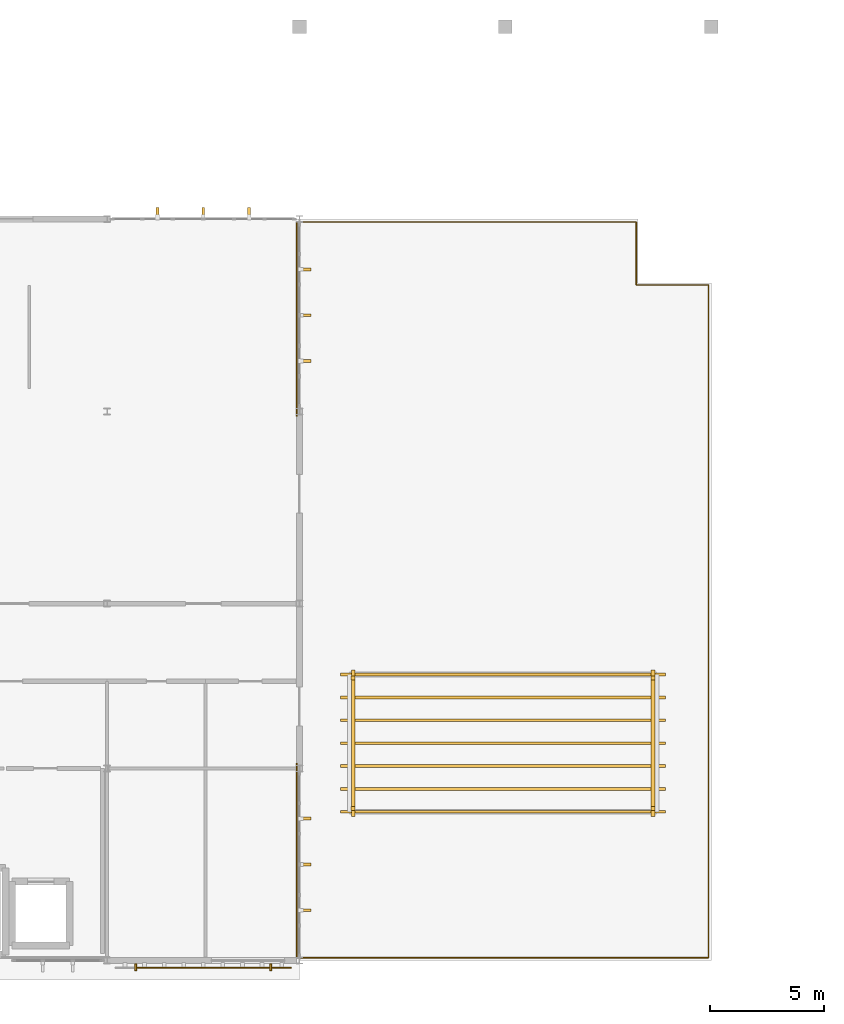
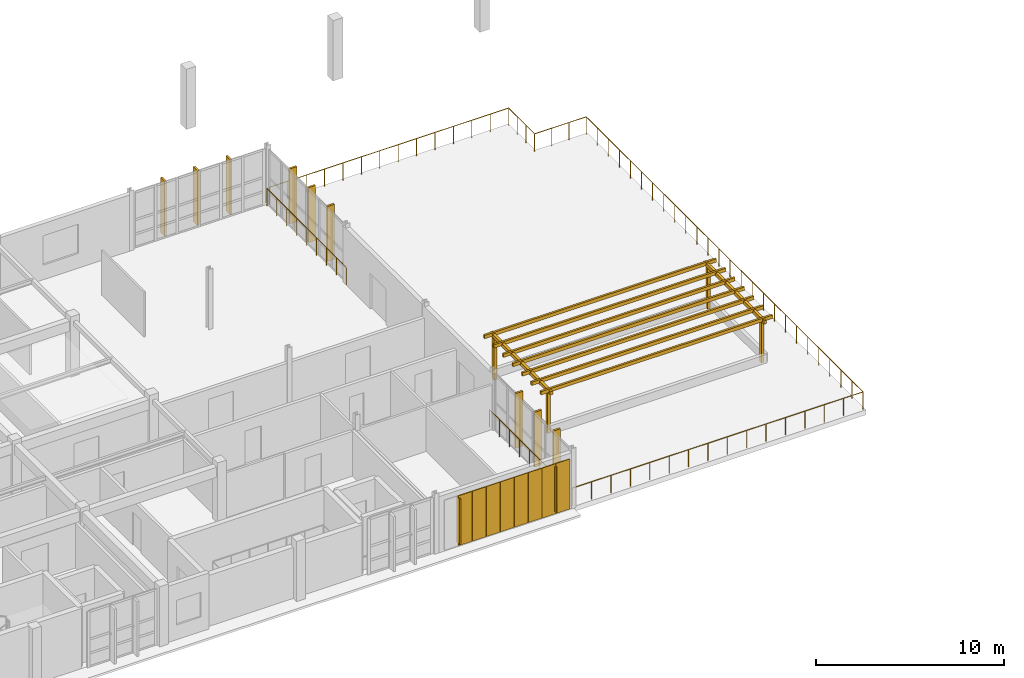
# One storey, part 35 of 35: 30 coverings, 3 railings, 2 shading devices.
"""IFC4 building model written with IfcOpenShell, lengths in metres."""

from ifc_helpers import new_model, si_unit, direction, frame, origin, origin_2d, place, context, subcontext, project, spatial, rectangle, circle, extrude, material, layer, layer_set, type_object, element, save


model = new_model("IFC4")

# Units and contexts
model_context = context("Model", 3, precision=1e-05, world=origin(), true_north=direction((0.0, 1.0)))
body_context = subcontext(model_context, "Body", "Model", "MODEL_VIEW")
ifc_project = project(units=[si_unit("LENGTHUNIT", "METRE"), si_unit("AREAUNIT", "SQUARE_METRE"), si_unit("VOLUMEUNIT", "CUBIC_METRE"), si_unit("PLANEANGLEUNIT", "RADIAN"), si_unit("MASSUNIT", "GRAM", prefix="KILO")], contexts=[model_context])

# Site, building, storey
site_placement = place(None, origin())
site = spatial("IfcSite", under=ifc_project, at=site_placement, CompositionType="ELEMENT")
building_placement = place(site_placement, origin())
building = spatial("IfcBuilding", under=site, at=building_placement, Name="Tizgana Railside Sports Hall", CompositionType="ELEMENT")
storey_placement = place(building_placement, frame((0.0, 0.0, 15.89990234375)))
storey = spatial("IfcBuildingStorey", under=building, at=storey_placement, Name="L03", CompositionType="ELEMENT", Elevation=15.89990234375)

# Shading devices
ifc_material_1 = material(Name="Glulam GL28h", Category="wood")
shading_device_type = type_object("IfcShadingDeviceType", Name="Glulam Vertical Brise-Soleil Fin 320", PredefinedType="JALOUSIE", material=ifc_material_1)
for number, where, z_axis, x_axis, name in (
    (1, (78.550048828125, -0.2939453125, 0.35009765625), (0.0, 0.0, 1.0), (-1.0, 0.0, 0.0), "L03 Glulam Fin FIN-0049"),
    (2, (72.64990234375, -0.2939453125, 0.35009765625), (0.0, 0.0, 1.0), (-1.0, 0.0, 0.0), "L03 Glulam Fin FIN-0050"),
):
    element("IfcShadingDevice", number, at=place(storey_placement, frame(where, z_axis=z_axis, x_axis=x_axis)), inside=storey, type_object=shading_device_type, Name=name, PredefinedType="JALOUSIE", context=body_context, shape_type="SweptSolid", body=[
        extrude(rectangle(XDim=0.080078125, YDim=0.320068359375, at=origin_2d()), origin(), (0.0, 0.0, 1.0), 2.93994140625),
    ])

# Coverings
ifc_layer_1 = layer(ifc_material_1, 0.139892578125, Name="Glulam GL28h")
ifc_layer_set_1 = layer_set([ifc_layer_1], Name="Glulam GL28h")
covering_type_1 = type_object("IfcCoveringType", Name="Mass-Timber Brise-Soleil & Pergola Fin", PredefinedType="CLADDING", material=ifc_layer_set_1)
for number, where, z_axis, x_axis, name in (
    (3, (82.14990234375, 6.64990234375, -0.019775390625), (0.0, 0.0, 1.0), (1.0, 0.0, 0.0), "L03 L03 Terrace Pergola Post"),
    (4, (82.14990234375, 12.35009765625, -0.019775390625), (0.0, 0.0, 1.0), (1.0, 0.0, 0.0), "L03 L03 Terrace Pergola Post"),
    (5, (95.25, 6.64990234375, -0.019775390625), (0.0, 0.0, 1.0), (1.0, 0.0, 0.0), "L03 L03 Terrace Pergola Post"),
    (6, (95.25, 12.35009765625, -0.019775390625), (0.0, 0.0, 1.0), (1.0, 0.0, 0.0), "L03 L03 Terrace Pergola Post"),
):
    element("IfcCovering", number, at=place(storey_placement, frame(where, z_axis=z_axis, x_axis=x_axis)), inside=storey, type_object=covering_type_1, Name=name, PredefinedType="CLADDING", context=body_context, shape_type="SweptSolid", body=[
        extrude(rectangle(XDim=0.179931640625, YDim=0.179931640625, at=origin_2d()), origin(), (0.0, 0.0, 1.0), 2.669921875),
    ])
for number, where, z_axis, x_axis, name in (
    (7, (82.14990234375, 9.5, 2.6298828125), (0.0, 0.0, 1.0), (1.0, 0.0, 0.0), "L03 L03 Terrace Pergola Beam"),
    (8, (95.25, 9.5, 2.6298828125), (0.0, 0.0, 1.0), (1.0, 0.0, 0.0), "L03 L03 Terrace Pergola Beam"),
):
    element("IfcCovering", number, at=place(storey_placement, frame(where, z_axis=z_axis, x_axis=x_axis)), inside=storey, type_object=covering_type_1, Name=name, PredefinedType="CLADDING", context=body_context, shape_type="SweptSolid", body=[
        extrude(rectangle(XDim=0.159912109375, YDim=6.39990234375, at=origin_2d()), origin(), (0.0, 0.0, 1.0), 0.219970703125),
    ])
for number, where, z_axis, x_axis, name in (
    (9, (88.699951171875, 6.5, 2.72021484375), (0.0, 0.0, 1.0), (1.0, 0.0, 0.0), "L03 L03 Terrace Pergola Rafter"),
    (10, (88.699951171875, 7.5, 2.72021484375), (0.0, 0.0, 1.0), (1.0, 0.0, 0.0), "L03 L03 Terrace Pergola Rafter"),
    (11, (88.699951171875, 8.5, 2.72021484375), (0.0, 0.0, 1.0), (1.0, 0.0, 0.0), "L03 L03 Terrace Pergola Rafter"),
    (12, (88.699951171875, 9.5, 2.72021484375), (0.0, 0.0, 1.0), (1.0, 0.0, 0.0), "L03 L03 Terrace Pergola Rafter"),
    (13, (88.699951171875, 10.5, 2.72021484375), (0.0, 0.0, 1.0), (1.0, 0.0, 0.0), "L03 L03 Terrace Pergola Rafter"),
    (14, (88.699951171875, 11.5, 2.72021484375), (0.0, 0.0, 1.0), (1.0, 0.0, 0.0), "L03 L03 Terrace Pergola Rafter"),
    (15, (88.699951171875, 12.5, 2.72021484375), (0.0, 0.0, 1.0), (1.0, 0.0, 0.0), "L03 L03 Terrace Pergola Rafter"),
):
    element("IfcCovering", number, at=place(storey_placement, frame(where, z_axis=z_axis, x_axis=x_axis)), inside=storey, type_object=covering_type_1, Name=name, PredefinedType="CLADDING", context=body_context, shape_type="SweptSolid", body=[
        extrude(rectangle(XDim=14.199951171875, YDim=0.1201171875, at=origin_2d()), origin(), (0.0, 0.0, 1.0), 0.219970703125),
    ])
for number, where, z_axis, x_axis, name in (
    (16, (73.597412109375, 32.679931640625, 0.0400390625), (0.0, 0.0, 1.0), (1.0, 0.0, 0.0), "L03 Timber Brise-Soleil Fin"),
    (17, (75.60009765625, 32.679931640625, 0.0400390625), (0.0, 0.0, 1.0), (1.0, 0.0, 0.0), "L03 Timber Brise-Soleil Fin"),
    (18, (77.6025390625, 32.679931640625, 0.0400390625), (0.0, 0.0, 1.0), (1.0, 0.0, 0.0), "L03 Timber Brise-Soleil Fin"),
    (19, (80.080078125, 6.202392578125, 0.0400390625), (0.0, 0.0, 1.0), (0.0, -1.0, 0.0), "L03 Timber Brise-Soleil Fin"),
    (20, (80.080078125, 4.199951171875, 0.0400390625), (0.0, 0.0, 1.0), (0.0, -1.0, 0.0), "L03 Timber Brise-Soleil Fin"),
    (21, (80.080078125, 2.197509765625, 0.0400390625), (0.0, 0.0, 1.0), (0.0, -1.0, 0.0), "L03 Timber Brise-Soleil Fin"),
    (22, (80.080078125, 30.202392578125, 0.0400390625), (0.0, 0.0, 1.0), (0.0, -1.0, 0.0), "L03 Timber Brise-Soleil Fin"),
    (23, (80.080078125, 28.199951171875, 0.0400390625), (0.0, 0.0, 1.0), (0.0, -1.0, 0.0), "L03 Timber Brise-Soleil Fin"),
    (24, (80.080078125, 26.197509765625, 0.0400390625), (0.0, 0.0, 1.0), (0.0, -1.0, 0.0), "L03 Timber Brise-Soleil Fin"),
):
    element("IfcCovering", number, at=place(storey_placement, frame(where, z_axis=z_axis, x_axis=x_axis)), inside=storey, type_object=covering_type_1, Name=name, PredefinedType="CLADDING", context=body_context, shape_type="SweptSolid", body=[
        extrude(rectangle(XDim=0.1201171875, YDim=0.43994140625, at=origin_2d()), origin(), (0.0, 0.0, 1.0), 3.56005859375),
    ])
ifc_material_2 = material(Name="Anodised perforated aluminium screen", Category="aluminium")
ifc_layer_2 = layer(ifc_material_2, 0.044921875, Name="Anodised perforated aluminium screen")
ifc_layer_set_2 = layer_set([ifc_layer_2], Name="Anodised perforated aluminium screen")
covering_type_2 = type_object("IfcCoveringType", Name="Perforated Aluminium Hall Screen 900", PredefinedType="CLADDING", material=ifc_layer_set_2)
for number, where, z_axis, x_axis, name in (
    (25, (79.022216796875, -0.31494140625, 0.2001953125), (0.0, 0.0, 1.0), (-1.0, 0.0, 0.0), "L03 Perforated Screen SCR-0597"),
    (26, (78.166748046875, -0.31494140625, 0.2001953125), (0.0, 0.0, 1.0), (-1.0, 0.0, 0.0), "L03 Perforated Screen SCR-0598"),
    (27, (77.31103515625, -0.31494140625, 0.2001953125), (0.0, 0.0, 1.0), (-1.0, 0.0, 0.0), "L03 Perforated Screen SCR-0599"),
    (28, (76.45556640625, -0.31494140625, 0.2001953125), (0.0, 0.0, 1.0), (-1.0, 0.0, 0.0), "L03 Perforated Screen SCR-0600"),
    (29, (75.60009765625, -0.31494140625, 0.2001953125), (0.0, 0.0, 1.0), (-1.0, 0.0, 0.0), "L03 Perforated Screen SCR-0601"),
    (30, (74.744384765625, -0.31494140625, 0.2001953125), (0.0, 0.0, 1.0), (-1.0, 0.0, 0.0), "L03 Perforated Screen SCR-0602"),
    (31, (73.888916015625, -0.31494140625, 0.2001953125), (0.0, 0.0, 1.0), (-1.0, 0.0, 0.0), "L03 Perforated Screen SCR-0603"),
    (32, (73.033203125, -0.31494140625, 0.2001953125), (0.0, 0.0, 1.0), (-1.0, 0.0, 0.0), "L03 Perforated Screen SCR-0604"),
):
    element("IfcCovering", number, at=place(storey_placement, frame(where, z_axis=z_axis, x_axis=x_axis)), inside=storey, type_object=covering_type_2, Name=name, PredefinedType="CLADDING", context=body_context, shape_type="SweptSolid", body=[
        extrude(rectangle(XDim=0.837646484375, YDim=0.044921875, at=origin_2d()), origin(), (0.0, 0.0, 1.0), 3.239990234375),
    ])

# Railings
ifc_material_3 = material(Name="Anodised aluminium", Category="aluminium")
railing_type = type_object("IfcRailingType", Name="Terrace & Track Guard 1150", PredefinedType="BALUSTRADE", material=ifc_material_3)
railing_1_placement = place(storey_placement, frame((79.85009765625, 0.1201171875, 0.0)))
element("IfcRailing", 33, at=railing_1_placement, inside=storey, type_object=railing_type, Name="L03 Safety Guard GRD-0012", PredefinedType="BALUSTRADE", context=body_context, shape_type="SweptSolid", body=[
    extrude(circle(Radius=0.02392578125, at=origin_2d()), frame((0.0, 0.0, 1.1259765625), z_axis=(1.0, 0.0, 0.0), x_axis=(0.0, 1.0, 0.0)), (0.0, 0.0, 1.0), 17.829833984375),
    extrude(circle(Radius=0.02392578125, at=origin_2d()), frame((17.829833984375, 0.0, 1.1259765625), z_axis=(0.0, 1.0, 0.0), x_axis=(-1.0, 0.0, 0.0)), (0.0, 0.0, 1.0), 29.39990234375),
    extrude(circle(Radius=0.02392578125, at=origin_2d()), frame((17.829833984375, 29.39990234375, 1.1259765625), z_axis=(-1.0, 0.0, 0.0), x_axis=(0.0, -1.0, 0.0)), (0.0, 0.0, 1.0), 3.159912109375),
    extrude(circle(Radius=0.02392578125, at=origin_2d()), frame((14.669921875, 29.39990234375, 1.1259765625), z_axis=(0.0, 1.0, 0.0), x_axis=(-1.0, 0.0, 0.0)), (0.0, 0.0, 1.0), 2.760009765625),
    extrude(circle(Radius=0.02392578125, at=origin_2d()), frame((14.669921875, 32.159912109375, 1.1259765625), z_axis=(-1.0, 0.0, 0.0), x_axis=(0.0, -1.0, 0.0)), (0.0, 0.0, 1.0), 14.669921875),
    extrude(circle(Radius=0.02099609375, at=origin_2d()), origin(), (0.0, 0.0, 1.0), 1.101806640625),
    extrude(circle(Radius=0.02099609375, at=origin_2d()), frame((1.188720703125, 0.0, 0.0)), (0.0, 0.0, 1.0), 1.101806640625),
    extrude(circle(Radius=0.02099609375, at=origin_2d()), frame((2.377197265625, 0.0, 0.0)), (0.0, 0.0, 1.0), 1.101806640625),
    extrude(circle(Radius=0.02099609375, at=origin_2d()), frame((3.56591796875, 0.0, 0.0)), (0.0, 0.0, 1.0), 1.101806640625),
    extrude(circle(Radius=0.02099609375, at=origin_2d()), frame((4.754638671875, 0.0, 0.0)), (0.0, 0.0, 1.0), 1.101806640625),
    extrude(circle(Radius=0.02099609375, at=origin_2d()), frame((5.943359375, 0.0, 0.0)), (0.0, 0.0, 1.0), 1.101806640625),
    extrude(circle(Radius=0.02099609375, at=origin_2d()), frame((7.1318359375, 0.0, 0.0)), (0.0, 0.0, 1.0), 1.101806640625),
    extrude(circle(Radius=0.02099609375, at=origin_2d()), frame((8.320556640625, 0.0, 0.0)), (0.0, 0.0, 1.0), 1.101806640625),
    extrude(circle(Radius=0.02099609375, at=origin_2d()), frame((9.50927734375, 0.0, 0.0)), (0.0, 0.0, 1.0), 1.101806640625),
    extrude(circle(Radius=0.02099609375, at=origin_2d()), frame((10.697998046875, 0.0, 0.0)), (0.0, 0.0, 1.0), 1.101806640625),
    extrude(circle(Radius=0.02099609375, at=origin_2d()), frame((11.886474609375, 0.0, 0.0)), (0.0, 0.0, 1.0), 1.101806640625),
    extrude(circle(Radius=0.02099609375, at=origin_2d()), frame((13.0751953125, 0.0, 0.0)), (0.0, 0.0, 1.0), 1.101806640625),
    extrude(circle(Radius=0.02099609375, at=origin_2d()), frame((14.263916015625, 0.0, 0.0)), (0.0, 0.0, 1.0), 1.101806640625),
    extrude(circle(Radius=0.02099609375, at=origin_2d()), frame((15.45263671875, 0.0, 0.0)), (0.0, 0.0, 1.0), 1.101806640625),
    extrude(circle(Radius=0.02099609375, at=origin_2d()), frame((16.64111328125, 0.0, 0.0)), (0.0, 0.0, 1.0), 1.101806640625),
    extrude(circle(Radius=0.02099609375, at=origin_2d()), frame((17.829833984375, 0.0, 0.0)), (0.0, 0.0, 1.0), 1.101806640625),
    extrude(circle(Radius=0.02099609375, at=origin_2d()), frame((17.829833984375, 1.176025390625, 0.0)), (0.0, 0.0, 1.0), 1.101806640625),
    extrude(circle(Radius=0.02099609375, at=origin_2d()), frame((17.829833984375, 2.35205078125, 0.0)), (0.0, 0.0, 1.0), 1.101806640625),
    extrude(circle(Radius=0.02099609375, at=origin_2d()), frame((17.829833984375, 3.528076171875, 0.0)), (0.0, 0.0, 1.0), 1.101806640625),
    extrude(circle(Radius=0.02099609375, at=origin_2d()), frame((17.829833984375, 4.7041015625, 0.0)), (0.0, 0.0, 1.0), 1.101806640625),
    extrude(circle(Radius=0.02099609375, at=origin_2d()), frame((17.829833984375, 5.8798828125, 0.0)), (0.0, 0.0, 1.0), 1.101806640625),
    extrude(circle(Radius=0.02099609375, at=origin_2d()), frame((17.829833984375, 7.055908203125, 0.0)), (0.0, 0.0, 1.0), 1.101806640625),
    extrude(circle(Radius=0.02099609375, at=origin_2d()), frame((17.829833984375, 8.23193359375, 0.0)), (0.0, 0.0, 1.0), 1.101806640625),
    extrude(circle(Radius=0.02099609375, at=origin_2d()), frame((17.829833984375, 9.407958984375, 0.0)), (0.0, 0.0, 1.0), 1.101806640625),
    extrude(circle(Radius=0.02099609375, at=origin_2d()), frame((17.829833984375, 10.583984375, 0.0)), (0.0, 0.0, 1.0), 1.101806640625),
    extrude(circle(Radius=0.02099609375, at=origin_2d()), frame((17.829833984375, 11.760009765625, 0.0)), (0.0, 0.0, 1.0), 1.101806640625),
    extrude(circle(Radius=0.02099609375, at=origin_2d()), frame((17.829833984375, 12.93603515625, 0.0)), (0.0, 0.0, 1.0), 1.101806640625),
    extrude(circle(Radius=0.02099609375, at=origin_2d()), frame((17.829833984375, 14.112060546875, 0.0)), (0.0, 0.0, 1.0), 1.101806640625),
    extrude(circle(Radius=0.02099609375, at=origin_2d()), frame((17.829833984375, 15.287841796875, 0.0)), (0.0, 0.0, 1.0), 1.101806640625),
    extrude(circle(Radius=0.02099609375, at=origin_2d()), frame((17.829833984375, 16.4638671875, 0.0)), (0.0, 0.0, 1.0), 1.101806640625),
    extrude(circle(Radius=0.02099609375, at=origin_2d()), frame((17.829833984375, 17.639892578125, 0.0)), (0.0, 0.0, 1.0), 1.101806640625),
    extrude(circle(Radius=0.02099609375, at=origin_2d()), frame((17.829833984375, 18.81591796875, 0.0)), (0.0, 0.0, 1.0), 1.101806640625),
    extrude(circle(Radius=0.02099609375, at=origin_2d()), frame((17.829833984375, 19.991943359375, 0.0)), (0.0, 0.0, 1.0), 1.101806640625),
    extrude(circle(Radius=0.02099609375, at=origin_2d()), frame((17.829833984375, 21.16796875, 0.0)), (0.0, 0.0, 1.0), 1.101806640625),
    extrude(circle(Radius=0.02099609375, at=origin_2d()), frame((17.829833984375, 22.343994140625, 0.0)), (0.0, 0.0, 1.0), 1.101806640625),
    extrude(circle(Radius=0.02099609375, at=origin_2d()), frame((17.829833984375, 23.52001953125, 0.0)), (0.0, 0.0, 1.0), 1.101806640625),
    extrude(circle(Radius=0.02099609375, at=origin_2d()), frame((17.829833984375, 24.69580078125, 0.0)), (0.0, 0.0, 1.0), 1.101806640625),
    extrude(circle(Radius=0.02099609375, at=origin_2d()), frame((17.829833984375, 25.871826171875, 0.0)), (0.0, 0.0, 1.0), 1.101806640625),
    extrude(circle(Radius=0.02099609375, at=origin_2d()), frame((17.829833984375, 27.0478515625, 0.0)), (0.0, 0.0, 1.0), 1.101806640625),
    extrude(circle(Radius=0.02099609375, at=origin_2d()), frame((17.829833984375, 28.223876953125, 0.0)), (0.0, 0.0, 1.0), 1.101806640625),
    extrude(circle(Radius=0.02099609375, at=origin_2d()), frame((17.829833984375, 29.39990234375, 0.0)), (0.0, 0.0, 1.0), 1.101806640625),
    extrude(circle(Radius=0.02099609375, at=origin_2d()), frame((16.776611328125, 29.39990234375, 0.0)), (0.0, 0.0, 1.0), 1.101806640625),
    extrude(circle(Radius=0.02099609375, at=origin_2d()), frame((15.72314453125, 29.39990234375, 0.0)), (0.0, 0.0, 1.0), 1.101806640625),
    extrude(circle(Radius=0.02099609375, at=origin_2d()), frame((14.669921875, 29.39990234375, 0.0)), (0.0, 0.0, 1.0), 1.101806640625),
    extrude(circle(Radius=0.02099609375, at=origin_2d()), frame((14.669921875, 30.31982421875, 0.0)), (0.0, 0.0, 1.0), 1.101806640625),
    extrude(circle(Radius=0.02099609375, at=origin_2d()), frame((14.669921875, 31.239990234375, 0.0)), (0.0, 0.0, 1.0), 1.101806640625),
    extrude(circle(Radius=0.02099609375, at=origin_2d()), frame((14.669921875, 32.159912109375, 0.0)), (0.0, 0.0, 1.0), 1.101806640625),
    extrude(circle(Radius=0.02099609375, at=origin_2d()), frame((13.54150390625, 32.159912109375, 0.0)), (0.0, 0.0, 1.0), 1.101806640625),
    extrude(circle(Radius=0.02099609375, at=origin_2d()), frame((12.4130859375, 32.159912109375, 0.0)), (0.0, 0.0, 1.0), 1.101806640625),
    extrude(circle(Radius=0.02099609375, at=origin_2d()), frame((11.28466796875, 32.159912109375, 0.0)), (0.0, 0.0, 1.0), 1.101806640625),
    extrude(circle(Radius=0.02099609375, at=origin_2d()), frame((10.156005859375, 32.159912109375, 0.0)), (0.0, 0.0, 1.0), 1.101806640625),
    extrude(circle(Radius=0.02099609375, at=origin_2d()), frame((9.027587890625, 32.159912109375, 0.0)), (0.0, 0.0, 1.0), 1.101806640625),
    extrude(circle(Radius=0.02099609375, at=origin_2d()), frame((7.899169921875, 32.159912109375, 0.0)), (0.0, 0.0, 1.0), 1.101806640625),
    extrude(circle(Radius=0.02099609375, at=origin_2d()), frame((6.770751953125, 32.159912109375, 0.0)), (0.0, 0.0, 1.0), 1.101806640625),
    extrude(circle(Radius=0.02099609375, at=origin_2d()), frame((5.642333984375, 32.159912109375, 0.0)), (0.0, 0.0, 1.0), 1.101806640625),
    extrude(circle(Radius=0.02099609375, at=origin_2d()), frame((4.513916015625, 32.159912109375, 0.0)), (0.0, 0.0, 1.0), 1.101806640625),
    extrude(circle(Radius=0.02099609375, at=origin_2d()), frame((3.38525390625, 32.159912109375, 0.0)), (0.0, 0.0, 1.0), 1.101806640625),
    extrude(circle(Radius=0.02099609375, at=origin_2d()), frame((2.2568359375, 32.159912109375, 0.0)), (0.0, 0.0, 1.0), 1.101806640625),
    extrude(circle(Radius=0.02099609375, at=origin_2d()), frame((1.12841796875, 32.159912109375, 0.0)), (0.0, 0.0, 1.0), 1.101806640625),
    extrude(circle(Radius=0.02099609375, at=origin_2d()), frame((0.0, 32.159912109375, 0.0)), (0.0, 0.0, 1.0), 1.101806640625),
])
railing_2_placement = place(storey_placement, frame((79.679931640625, 0.14990234375, 0.0)))
element("IfcRailing", 34, at=railing_2_placement, inside=storey, type_object=railing_type, Name="L03 Safety Guard GRD-0037", PredefinedType="BALUSTRADE", context=body_context, shape_type="SweptSolid", body=[
    extrude(circle(Radius=0.02392578125, at=origin_2d()), frame((0.0, 0.0, 1.1259765625), z_axis=(0.0, 1.0, 0.0), x_axis=(-1.0, 0.0, 0.0)), (0.0, 0.0, 1.0), 8.4501953125),
    extrude(circle(Radius=0.02099609375, at=origin_2d()), origin(), (0.0, 0.0, 1.0), 1.101806640625),
    extrude(circle(Radius=0.02099609375, at=origin_2d()), frame((0.0, 1.05615234375, 0.0)), (0.0, 0.0, 1.0), 1.101806640625),
    extrude(circle(Radius=0.02099609375, at=origin_2d()), frame((0.0, 2.112548828125, 0.0)), (0.0, 0.0, 1.0), 1.101806640625),
    extrude(circle(Radius=0.02099609375, at=origin_2d()), frame((0.0, 3.1689453125, 0.0)), (0.0, 0.0, 1.0), 1.101806640625),
    extrude(circle(Radius=0.02099609375, at=origin_2d()), frame((0.0, 4.22509765625, 0.0)), (0.0, 0.0, 1.0), 1.101806640625),
    extrude(circle(Radius=0.02099609375, at=origin_2d()), frame((0.0, 5.28125, 0.0)), (0.0, 0.0, 1.0), 1.101806640625),
    extrude(circle(Radius=0.02099609375, at=origin_2d()), frame((0.0, 6.337646484375, 0.0)), (0.0, 0.0, 1.0), 1.101806640625),
    extrude(circle(Radius=0.02099609375, at=origin_2d()), frame((0.0, 7.39404296875, 0.0)), (0.0, 0.0, 1.0), 1.101806640625),
    extrude(circle(Radius=0.02099609375, at=origin_2d()), frame((0.0, 8.4501953125, 0.0)), (0.0, 0.0, 1.0), 1.101806640625),
])
railing_3_placement = place(storey_placement, frame((79.679931640625, 23.800048828125, 0.0)))
element("IfcRailing", 35, at=railing_3_placement, inside=storey, type_object=railing_type, Name="L03 Safety Guard GRD-0038", PredefinedType="BALUSTRADE", context=body_context, shape_type="SweptSolid", body=[
    extrude(circle(Radius=0.02392578125, at=origin_2d()), frame((0.0, 0.0, 1.1259765625), z_axis=(0.0, 1.0, 0.0), x_axis=(-1.0, 0.0, 0.0)), (0.0, 0.0, 1.0), 8.449951171875),
    extrude(circle(Radius=0.02099609375, at=origin_2d()), origin(), (0.0, 0.0, 1.0), 1.101806640625),
    extrude(circle(Radius=0.02099609375, at=origin_2d()), frame((0.0, 1.05615234375, 0.0)), (0.0, 0.0, 1.0), 1.101806640625),
    extrude(circle(Radius=0.02099609375, at=origin_2d()), frame((0.0, 2.112548828125, 0.0)), (0.0, 0.0, 1.0), 1.101806640625),
    extrude(circle(Radius=0.02099609375, at=origin_2d()), frame((0.0, 3.168701171875, 0.0)), (0.0, 0.0, 1.0), 1.101806640625),
    extrude(circle(Radius=0.02099609375, at=origin_2d()), frame((0.0, 4.22509765625, 0.0)), (0.0, 0.0, 1.0), 1.101806640625),
    extrude(circle(Radius=0.02099609375, at=origin_2d()), frame((0.0, 5.28125, 0.0)), (0.0, 0.0, 1.0), 1.101806640625),
    extrude(circle(Radius=0.02099609375, at=origin_2d()), frame((0.0, 6.33740234375, 0.0)), (0.0, 0.0, 1.0), 1.101806640625),
    extrude(circle(Radius=0.02099609375, at=origin_2d()), frame((0.0, 7.393798828125, 0.0)), (0.0, 0.0, 1.0), 1.101806640625),
    extrude(circle(Radius=0.02099609375, at=origin_2d()), frame((0.0, 8.449951171875, 0.0)), (0.0, 0.0, 1.0), 1.101806640625),
])

save(model, "model.ifc")
